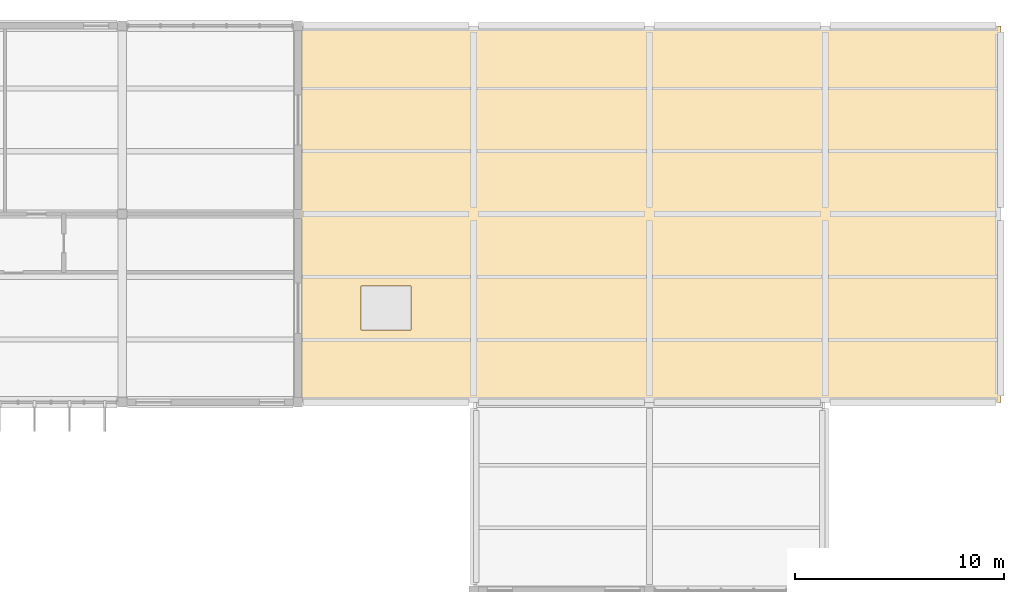
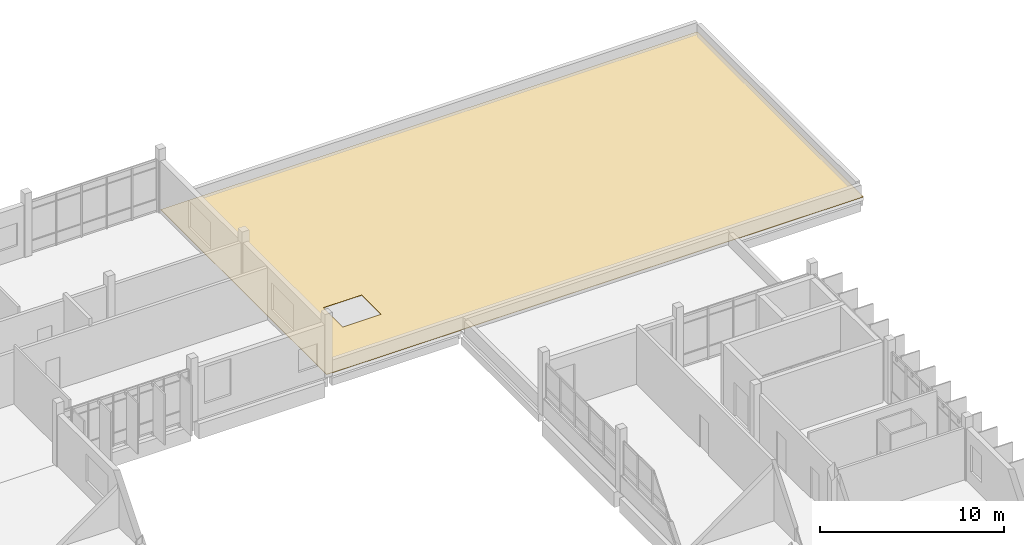
# One storey, part 61 of 62: 1 covering.
"""IFC4 building model written with IfcOpenShell, lengths in metres."""

from ifc_helpers import new_model, si_unit, direction, frame, origin, place, context, subcontext, project, spatial, polyline, outline, extrude, material, layer, layer_set, type_object, element, save


model = new_model("IFC4")

# Units and contexts
model_context = context("Model", 3, precision=1e-05, world=origin(), true_north=direction((0.0, 1.0)))
body_context = subcontext(model_context, "Body", "Model", "MODEL_VIEW")
ifc_project = project(units=[si_unit("LENGTHUNIT", "METRE"), si_unit("AREAUNIT", "SQUARE_METRE"), si_unit("VOLUMEUNIT", "CUBIC_METRE"), si_unit("PLANEANGLEUNIT", "RADIAN"), si_unit("MASSUNIT", "GRAM", prefix="KILO")], contexts=[model_context])

# Site, building, storey
site_placement = place(None, origin())
site = spatial("IfcSite", under=ifc_project, at=site_placement, CompositionType="ELEMENT")
building_placement = place(site_placement, origin())
building = spatial("IfcBuilding", under=site, at=building_placement, Name="Vireocrest Preparatory School", CompositionType="ELEMENT")
storey_placement = place(building_placement, frame((0.0, 0.0, 17.39990234375)))
storey = spatial("IfcBuildingStorey", under=building, at=storey_placement, Name="L04", CompositionType="ELEMENT", Elevation=17.39990234375)

# Covering
ifc_material = material(Name="TPO single-ply insulated roofing membrane")
ifc_layer = layer(ifc_material, 0.030029296875)
ifc_layer_set = layer_set([ifc_layer], Name="TPO single-ply insulated roofing membrane")
covering_type = type_object("IfcCoveringType", Name="TPO Insulated Single-Ply Roof Membrane", PredefinedType="ROOFING", material=ifc_layer_set)
covering_placement = place(storey_placement, origin())
element("IfcCovering", 1, at=covering_placement, inside=storey, type_object=covering_type, Name="Roof Membrane L04_NORTH_EAST_ROOF", PredefinedType="ROOFING", context=body_context, shape_type="SweptSolid", body=[
    extrude(outline(polyline([(84.0, 94.800048828125), (117.60009765625, 94.800048828125), (117.60009765625, 112.800048828125), (84.0, 112.800048828125), (84.0, 94.800048828125)]), holes=[polyline([(87.0, 98.25), (89.39990234375, 98.25), (89.39990234375, 100.35009765625), (87.0, 100.35009765625), (87.0, 98.25)])]), origin(), (0.0, 0.0, 1.0), 0.030029296875),
])

save(model, "model.ifc")
